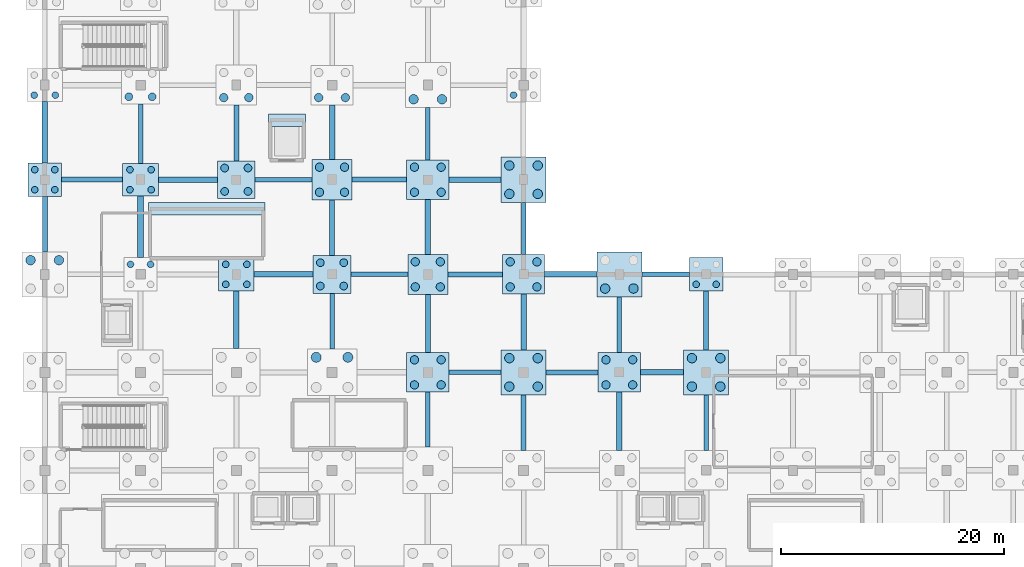
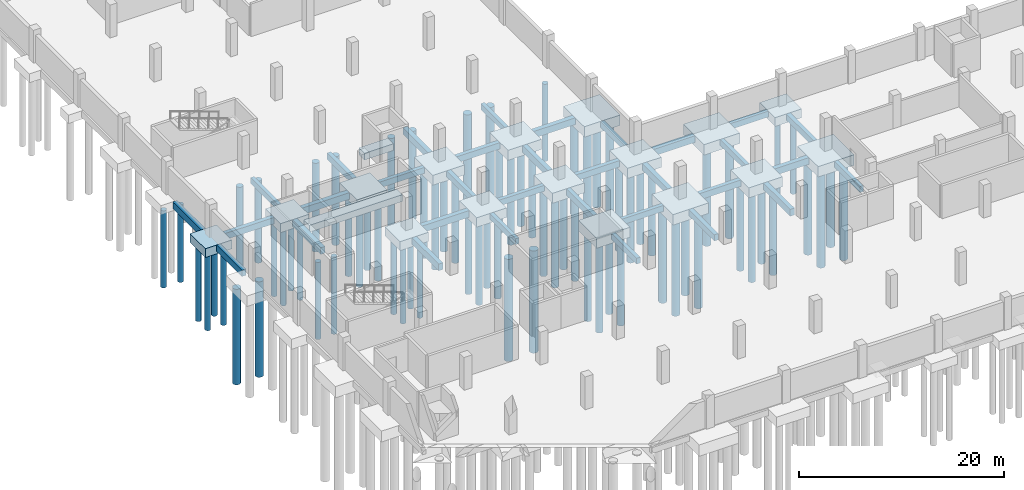
# One storey, part 3 of 28: 77 piles, 51 footings.
"""IFC4 building model written with IfcOpenShell, lengths in metres."""

from ifc_helpers import new_model, si_unit, direction, frame, origin, origin_2d, place, context, subcontext, project, spatial, rectangle, circle, extrude, material, material_profile, profile_set, type_object, element, save


model = new_model("IFC4")

# Units and contexts
model_context = context("Model", 3, precision=1e-05, world=origin(), true_north=direction((0.0, 1.0)))
body_context = subcontext(model_context, "Body", "Model", "MODEL_VIEW")
ifc_project = project(units=[si_unit("LENGTHUNIT", "METRE"), si_unit("AREAUNIT", "SQUARE_METRE"), si_unit("VOLUMEUNIT", "CUBIC_METRE"), si_unit("PLANEANGLEUNIT", "RADIAN"), si_unit("MASSUNIT", "GRAM", prefix="KILO")], contexts=[model_context])

# Site, building, storey
site_placement = place(None, origin())
site = spatial("IfcSite", under=ifc_project, at=site_placement, CompositionType="ELEMENT")
building_placement = place(site_placement, origin())
building = spatial("IfcBuilding", under=site, at=building_placement, Name="Varnakota Cinema and Media Centre", CompositionType="ELEMENT")
storey_placement = place(building_placement, frame((0.0, 0.0, -4.199951171875)))
storey = spatial("IfcBuildingStorey", under=building, at=storey_placement, Name="B1", CompositionType="ELEMENT", Elevation=-4.199951171875)

# Footings
ifc_material_1 = material(Name="Concrete M35", Category="concrete")
ifc_material_profile_1 = material_profile(ifc_material_1, rectangle(XDim=0.39990234375, YDim=0.699951171875, at=origin_2d()), Name="FB 400x700")
ifc_profile_set_1 = profile_set([ifc_material_profile_1], Name="Concrete M35")
footing_type_1 = type_object("IfcFootingType", Name="FB-400x700", PredefinedType="FOOTING_BEAM", material=ifc_profile_set_1)
footing_1_placement = place(storey_placement, frame((36.300048828125, 35.199951171875, -0.60009765625), z_axis=(1.0, 0.0, 0.0), x_axis=(0.0, 1.0, 0.0)))
element("IfcFooting", 1, at=footing_1_placement, inside=storey, type_object=footing_type_1, Name="Foundation tie beam E-F/5", PredefinedType="FOOTING_BEAM", context=body_context, shape_type="SweptSolid", body=[
    extrude(rectangle(XDim=0.39990234375, YDim=0.699951171875, at=origin_2d()), origin(), (0.0, 0.0, 1.0), 4.675048828125),
])
footing_2_placement = place(storey_placement, frame((27.5, 44.0, -0.60009765625), z_axis=(1.0, 0.0, 0.0), x_axis=(0.0, 1.0, 0.0)))
element("IfcFooting", 2, at=footing_2_placement, inside=storey, type_object=footing_type_1, Name="Foundation tie beam D-E/6", PredefinedType="FOOTING_BEAM", context=body_context, shape_type="SweptSolid", body=[
    extrude(rectangle(XDim=0.39990234375, YDim=0.699951171875, at=origin_2d()), origin(), (0.0, 0.0, 1.0), 5.10009765625),
])
footing_3_placement = place(storey_placement, frame((53.625, 44.0, -0.60009765625), z_axis=(1.0, 0.0, 0.0), x_axis=(0.0, 1.0, 0.0)))
element("IfcFooting", 3, at=footing_3_placement, inside=storey, type_object=footing_type_1, Name="Foundation tie beam G-H/6", PredefinedType="FOOTING_BEAM", context=body_context, shape_type="SweptSolid", body=[
    extrude(rectangle(XDim=0.39990234375, YDim=0.699951171875, at=origin_2d()), origin(), (0.0, 0.0, 1.0), 4.27490234375),
])
footing_4_placement = place(storey_placement, frame((18.89990234375, 52.5, -0.60009765625), z_axis=(1.0, 0.0, 0.0), x_axis=(0.0, 1.0, 0.0)))
element("IfcFooting", 4, at=footing_4_placement, inside=storey, type_object=footing_type_1, Name="Foundation tie beam C-D/7", PredefinedType="FOOTING_BEAM", context=body_context, shape_type="SweptSolid", body=[
    extrude(rectangle(XDim=0.39990234375, YDim=0.699951171875, at=origin_2d()), origin(), (0.0, 0.0, 1.0), 5.10009765625),
])
footing_5_placement = place(storey_placement, frame((8.60009765625, 53.97509765625, -0.60009765625), z_axis=(0.0, 1.0, 0.0), x_axis=(-1.0, 0.0, 0.0)))
element("IfcFooting", 5, at=footing_5_placement, inside=storey, type_object=footing_type_1, Name="Foundation tie beam B/7-8", PredefinedType="FOOTING_BEAM", context=body_context, shape_type="SweptSolid", body=[
    extrude(rectangle(XDim=0.39990234375, YDim=0.699951171875, at=origin_2d()), origin(), (0.0, 0.0, 1.0), 5.324951171875),
])
footing_6_placement = place(storey_placement, frame((25.800048828125, 37.300048828125, -0.60009765625), z_axis=(0.0, 1.0, 0.0), x_axis=(-1.0, 0.0, 0.0)))
element("IfcFooting", 6, at=footing_6_placement, inside=storey, type_object=footing_type_1, Name="Foundation tie beam D/5-6", PredefinedType="FOOTING_BEAM", context=body_context, shape_type="SweptSolid", body=[
    extrude(rectangle(XDim=0.39990234375, YDim=0.699951171875, at=origin_2d()), origin(), (0.0, 0.0, 1.0), 5.0),
])
footing_7_placement = place(storey_placement, frame((34.39990234375, 28.5, -0.60009765625), z_axis=(0.0, 1.0, 0.0), x_axis=(-1.0, 0.0, 0.0)))
element("IfcFooting", 7, at=footing_7_placement, inside=storey, type_object=footing_type_1, Name="Foundation tie beam E/4-5", PredefinedType="FOOTING_BEAM", context=body_context, shape_type="SweptSolid", body=[
    extrude(rectangle(XDim=0.39990234375, YDim=0.699951171875, at=origin_2d()), origin(), (0.0, 0.0, 1.0), 4.925048828125),
])
for number, where, z_axis, x_axis, name in (
    (8, (34.39990234375, 54.27490234375, -0.60009765625), (0.0, 1.0, 0.0), (-1.0, 0.0, 0.0), "Foundation tie beam E/7-8"),
    (9, (43.0, 45.77490234375, -0.60009765625), (0.0, 1.0, 0.0), (-1.0, 0.0, 0.0), "Foundation tie beam F/6-7"),
):
    element("IfcFooting", number, at=place(storey_placement, frame(where, z_axis=z_axis, x_axis=x_axis)), inside=storey, type_object=footing_type_1, Name=name, PredefinedType="FOOTING_BEAM", context=body_context, shape_type="SweptSolid", body=[
        extrude(rectangle(XDim=0.39990234375, YDim=0.699951171875, at=origin_2d()), origin(), (0.0, 0.0, 1.0), 4.7001953125),
    ])
for number, where, z_axis, x_axis, name in (
    (10, (51.60009765625, 36.97509765625, -0.60009765625), (0.0, 1.0, 0.0), (-1.0, 0.0, 0.0), "Foundation tie beam G/5-6"),
    (11, (59.39990234375, 28.175048828125, -0.60009765625), (0.0, 1.0, 0.0), (-1.0, 0.0, 0.0), "Foundation tie beam H/4-5"),
):
    element("IfcFooting", number, at=place(storey_placement, frame(where, z_axis=z_axis, x_axis=x_axis)), inside=storey, type_object=footing_type_1, Name=name, PredefinedType="FOOTING_BEAM", context=body_context, shape_type="SweptSolid", body=[
        extrude(rectangle(XDim=0.39990234375, YDim=0.699951171875, at=origin_2d()), origin(), (0.0, 0.0, 1.0), 5.0),
    ])
ifc_material_2 = material(Name="Concrete M35", Category="concrete")
ifc_material_profile_2 = material_profile(ifc_material_2, rectangle(XDim=0.449951171875, YDim=0.75, at=origin_2d()), Name="FB 450x750")
ifc_profile_set_2 = profile_set([ifc_material_profile_2], Name="Concrete M35")
footing_type_2 = type_object("IfcFootingType", Name="FB-450x750", PredefinedType="FOOTING_BEAM", material=ifc_profile_set_2)
footing_8_placement = place(storey_placement, frame((45.02490234375, 35.199951171875, -0.625), z_axis=(1.0, 0.0, 0.0), x_axis=(0.0, 1.0, 0.0)))
element("IfcFooting", 12, at=footing_8_placement, inside=storey, type_object=footing_type_2, Name="Foundation tie beam F-G/5", PredefinedType="FOOTING_BEAM", context=body_context, shape_type="SweptSolid", body=[
    extrude(rectangle(XDim=0.449951171875, YDim=0.75, at=origin_2d()), origin(), (0.0, 0.0, 1.0), 4.675048828125),
])
footing_9_placement = place(storey_placement, frame((36.199951171875, 44.0, -0.625), z_axis=(1.0, 0.0, 0.0), x_axis=(0.0, 1.0, 0.0)))
element("IfcFooting", 13, at=footing_9_placement, inside=storey, type_object=footing_type_2, Name="Foundation tie beam E-F/6", PredefinedType="FOOTING_BEAM", context=body_context, shape_type="SweptSolid", body=[
    extrude(rectangle(XDim=0.449951171875, YDim=0.75, at=origin_2d()), origin(), (0.0, 0.0, 1.0), 4.900146484375),
])
footing_10_placement = place(storey_placement, frame((1.5, 52.5, -0.625), z_axis=(1.0, 0.0, 0.0), x_axis=(0.0, 1.0, 0.0)))
element("IfcFooting", 14, at=footing_10_placement, inside=storey, type_object=footing_type_2, Name="Foundation tie beam A-B/7", PredefinedType="FOOTING_BEAM", context=body_context, shape_type="SweptSolid", body=[
    extrude(rectangle(XDim=0.449951171875, YDim=0.75, at=origin_2d()), origin(), (0.0, 0.0, 1.0), 5.5),
])
footing_11_placement = place(storey_placement, frame((27.60009765625, 52.5, -0.625), z_axis=(1.0, 0.0, 0.0), x_axis=(0.0, 1.0, 0.0)))
element("IfcFooting", 15, at=footing_11_placement, inside=storey, type_object=footing_type_2, Name="Foundation tie beam D-E/7", PredefinedType="FOOTING_BEAM", context=body_context, shape_type="SweptSolid", body=[
    extrude(rectangle(XDim=0.449951171875, YDim=0.75, at=origin_2d()), origin(), (0.0, 0.0, 1.0), 4.89990234375),
])
footing_12_placement = place(storey_placement, frame((0.0, 46.02490234375, -0.625), z_axis=(0.0, 1.0, 0.0), x_axis=(-1.0, 0.0, 0.0)))
element("IfcFooting", 16, at=footing_12_placement, inside=storey, type_object=footing_type_2, Name="Foundation tie beam A/6-7", PredefinedType="FOOTING_BEAM", context=body_context, shape_type="SweptSolid", body=[
    extrude(rectangle(XDim=0.449951171875, YDim=0.75, at=origin_2d()), origin(), (0.0, 0.0, 1.0), 4.97509765625),
])
for number, where, z_axis, x_axis, name in (
    (17, (17.199951171875, 54.199951171875, -0.625), (0.0, 1.0, 0.0), (-1.0, 0.0, 0.0), "Foundation tie beam C/7-8"),
    (18, (25.800048828125, 45.699951171875, -0.625), (0.0, 1.0, 0.0), (-1.0, 0.0, 0.0), "Foundation tie beam D/6-7"),
):
    element("IfcFooting", number, at=place(storey_placement, frame(where, z_axis=z_axis, x_axis=x_axis)), inside=storey, type_object=footing_type_2, Name=name, PredefinedType="FOOTING_BEAM", context=body_context, shape_type="SweptSolid", body=[
        extrude(rectangle(XDim=0.449951171875, YDim=0.75, at=origin_2d()), origin(), (0.0, 0.0, 1.0), 5.0),
    ])
footing_13_placement = place(storey_placement, frame((34.39990234375, 36.97509765625, -0.625), z_axis=(0.0, 1.0, 0.0), x_axis=(-1.0, 0.0, 0.0)))
element("IfcFooting", 19, at=footing_13_placement, inside=storey, type_object=footing_type_2, Name="Foundation tie beam E/5-6", PredefinedType="FOOTING_BEAM", context=body_context, shape_type="SweptSolid", body=[
    extrude(rectangle(XDim=0.449951171875, YDim=0.75, at=origin_2d()), origin(), (0.0, 0.0, 1.0), 5.224853515625),
])
footing_14_placement = place(storey_placement, frame((43.0, 28.175048828125, -0.625), z_axis=(0.0, 1.0, 0.0), x_axis=(-1.0, 0.0, 0.0)))
element("IfcFooting", 20, at=footing_14_placement, inside=storey, type_object=footing_type_2, Name="Foundation tie beam F/4-5", PredefinedType="FOOTING_BEAM", context=body_context, shape_type="SweptSolid", body=[
    extrude(rectangle(XDim=0.449951171875, YDim=0.75, at=origin_2d()), origin(), (0.0, 0.0, 1.0), 5.0),
])
footing_15_placement = place(storey_placement, frame((59.39990234375, 37.22509765625, -0.625), z_axis=(0.0, 1.0, 0.0), x_axis=(-1.0, 0.0, 0.0)))
element("IfcFooting", 21, at=footing_15_placement, inside=storey, type_object=footing_type_2, Name="Foundation tie beam H/5-6", PredefinedType="FOOTING_BEAM", context=body_context, shape_type="SweptSolid", body=[
    extrude(rectangle(XDim=0.449951171875, YDim=0.75, at=origin_2d()), origin(), (0.0, 0.0, 1.0), 5.27490234375),
])
ifc_material_3 = material(Name="Concrete M35", Category="concrete")
ifc_material_profile_3 = material_profile(ifc_material_3, rectangle(XDim=0.5, YDim=0.800048828125, at=origin_2d()), Name="FB 500x800")
ifc_profile_set_3 = profile_set([ifc_material_profile_3], Name="Concrete M35")
footing_type_3 = type_object("IfcFootingType", Name="FB-500x800", PredefinedType="FOOTING_BEAM", material=ifc_profile_set_3)
footing_16_placement = place(storey_placement, frame((53.5, 35.199951171875, -0.650146484375), z_axis=(1.0, 0.0, 0.0), x_axis=(0.0, 1.0, 0.0)))
element("IfcFooting", 22, at=footing_16_placement, inside=storey, type_object=footing_type_3, Name="Foundation tie beam G-H/5", PredefinedType="FOOTING_BEAM", context=body_context, shape_type="SweptSolid", body=[
    extrude(rectangle(XDim=0.5, YDim=0.800048828125, at=origin_2d()), origin(), (0.0, 0.0, 1.0), 3.875),
])
footing_17_placement = place(storey_placement, frame((18.800048828125, 44.0, -0.650146484375), z_axis=(1.0, 0.0, 0.0), x_axis=(0.0, 1.0, 0.0)))
element("IfcFooting", 23, at=footing_17_placement, inside=storey, type_object=footing_type_3, Name="Foundation tie beam C-D/6", PredefinedType="FOOTING_BEAM", context=body_context, shape_type="SweptSolid", body=[
    extrude(rectangle(XDim=0.5, YDim=0.800048828125, at=origin_2d()), origin(), (0.0, 0.0, 1.0), 5.300048828125),
])
footing_18_placement = place(storey_placement, frame((44.89990234375, 44.0, -0.650146484375), z_axis=(1.0, 0.0, 0.0), x_axis=(0.0, 1.0, 0.0)))
element("IfcFooting", 24, at=footing_18_placement, inside=storey, type_object=footing_type_3, Name="Foundation tie beam F-G/6", PredefinedType="FOOTING_BEAM", context=body_context, shape_type="SweptSolid", body=[
    extrude(rectangle(XDim=0.5, YDim=0.800048828125, at=origin_2d()), origin(), (0.0, 0.0, 1.0), 4.675048828125),
])
footing_19_placement = place(storey_placement, frame((10.199951171875, 52.5, -0.650146484375), z_axis=(1.0, 0.0, 0.0), x_axis=(0.0, 1.0, 0.0)))
element("IfcFooting", 25, at=footing_19_placement, inside=storey, type_object=footing_type_3, Name="Foundation tie beam B-C/7", PredefinedType="FOOTING_BEAM", context=body_context, shape_type="SweptSolid", body=[
    extrude(rectangle(XDim=0.5, YDim=0.800048828125, at=origin_2d()), origin(), (0.0, 0.0, 1.0), 5.300048828125),
])
footing_20_placement = place(storey_placement, frame((36.300048828125, 52.5, -0.650146484375), z_axis=(1.0, 0.0, 0.0), x_axis=(0.0, 1.0, 0.0)))
element("IfcFooting", 26, at=footing_20_placement, inside=storey, type_object=footing_type_3, Name="Foundation tie beam E-F/7", PredefinedType="FOOTING_BEAM", context=body_context, shape_type="SweptSolid", body=[
    extrude(rectangle(XDim=0.5, YDim=0.800048828125, at=origin_2d()), origin(), (0.0, 0.0, 1.0), 4.675048828125),
])
for number, where, z_axis, x_axis, name in (
    (27, (0.0, 54.0, -0.650146484375), (0.0, 1.0, 0.0), (-1.0, 0.0, 0.0), "Foundation tie beam A/7-8"),
    (28, (8.60009765625, 45.5, -0.650146484375), (0.0, 1.0, 0.0), (-1.0, 0.0, 0.0), "Foundation tie beam B/6-7"),
):
    element("IfcFooting", number, at=place(storey_placement, frame(where, z_axis=z_axis, x_axis=x_axis)), inside=storey, type_object=footing_type_3, Name=name, PredefinedType="FOOTING_BEAM", context=body_context, shape_type="SweptSolid", body=[
        extrude(rectangle(XDim=0.5, YDim=0.800048828125, at=origin_2d()), origin(), (0.0, 0.0, 1.0), 5.52490234375),
    ])
footing_21_placement = place(storey_placement, frame((17.199951171875, 37.324951171875, -0.650146484375), z_axis=(0.0, 1.0, 0.0), x_axis=(-1.0, 0.0, 0.0)))
element("IfcFooting", 29, at=footing_21_placement, inside=storey, type_object=footing_type_3, Name="Foundation tie beam C/5-6", PredefinedType="FOOTING_BEAM", context=body_context, shape_type="SweptSolid", body=[
    extrude(rectangle(XDim=0.5, YDim=0.800048828125, at=origin_2d()), origin(), (0.0, 0.0, 1.0), 5.199951171875),
])
for number, where, z_axis, x_axis, name in (
    (30, (25.800048828125, 54.300048828125, -0.650146484375), (0.0, 1.0, 0.0), (-1.0, 0.0, 0.0), "Foundation tie beam D/7-8"),
    (31, (34.39990234375, 45.800048828125, -0.650146484375), (0.0, 1.0, 0.0), (-1.0, 0.0, 0.0), "Foundation tie beam E/6-7"),
):
    element("IfcFooting", number, at=place(storey_placement, frame(where, z_axis=z_axis, x_axis=x_axis)), inside=storey, type_object=footing_type_3, Name=name, PredefinedType="FOOTING_BEAM", context=body_context, shape_type="SweptSolid", body=[
        extrude(rectangle(XDim=0.5, YDim=0.800048828125, at=origin_2d()), origin(), (0.0, 0.0, 1.0), 4.925048828125),
    ])
footing_22_placement = place(storey_placement, frame((43.0, 37.22509765625, -0.650146484375), z_axis=(0.0, 1.0, 0.0), x_axis=(-1.0, 0.0, 0.0)))
element("IfcFooting", 32, at=footing_22_placement, inside=storey, type_object=footing_type_3, Name="Foundation tie beam F/5-6", PredefinedType="FOOTING_BEAM", context=body_context, shape_type="SweptSolid", body=[
    extrude(rectangle(XDim=0.5, YDim=0.800048828125, at=origin_2d()), origin(), (0.0, 0.0, 1.0), 5.0),
])
footing_23_placement = place(storey_placement, frame((51.60009765625, 28.199951171875, -0.650146484375), z_axis=(0.0, 1.0, 0.0), x_axis=(-1.0, 0.0, 0.0)))
element("IfcFooting", 33, at=footing_23_placement, inside=storey, type_object=footing_type_3, Name="Foundation tie beam G/4-5", PredefinedType="FOOTING_BEAM", context=body_context, shape_type="SweptSolid", body=[
    extrude(rectangle(XDim=0.5, YDim=0.800048828125, at=origin_2d()), origin(), (0.0, 0.0, 1.0), 5.22509765625),
])
ifc_material_4 = material(Name="Concrete M35", Category="concrete")
footing_type_4 = type_object("IfcFootingType", Name="PC-4P-600", PredefinedType="PILE_CAP", material=ifc_material_4)
for number, where, z_axis, x_axis, name in (
    (34, (0.0, 52.5, -1.30029296875), (0.0, 0.0, 1.0), (1.0, 0.0, 0.0), "Pile cap A/7"),
    (35, (59.39990234375, 44.0, -1.30029296875), (0.0, 0.0, 1.0), (1.0, 0.0, 0.0), "Pile cap H/6"),
):
    element("IfcFooting", number, at=place(storey_placement, frame(where, z_axis=z_axis, x_axis=x_axis)), inside=storey, type_object=footing_type_4, Name=name, PredefinedType="PILE_CAP", context=body_context, shape_type="SweptSolid", body=[
        extrude(rectangle(XDim=3.0, YDim=3.0, at=origin_2d()), origin(), (0.0, 0.0, 1.0), 1.050048828125),
    ])
ifc_material_5 = material(Name="Concrete M35", Category="concrete")
footing_type_5 = type_object("IfcFootingType", Name="PC-4P-600R", PredefinedType="PILE_CAP", material=ifc_material_5)
for number, where, z_axis, x_axis, name in (
    (36, (8.60009765625, 52.5, -1.330078125), (0.0, 0.0, 1.0), (1.0, 0.0, 0.0), "Pile cap B/7"),
    (37, (17.199951171875, 44.0, -1.330078125), (0.0, 0.0, 1.0), (1.0, 0.0, 0.0), "Pile cap C/6"),
):
    element("IfcFooting", number, at=place(storey_placement, frame(where, z_axis=z_axis, x_axis=x_axis)), inside=storey, type_object=footing_type_5, Name=name, PredefinedType="PILE_CAP", context=body_context, shape_type="SweptSolid", body=[
        extrude(rectangle(XDim=3.199951171875, YDim=2.949951171875, at=origin_2d()), origin(), (0.0, 0.0, 1.0), 1.080078125),
    ])
ifc_material_6 = material(Name="Concrete M35", Category="concrete")
footing_type_6 = type_object("IfcFootingType", Name="PC-4P-700", PredefinedType="PILE_CAP", material=ifc_material_6)
for number, where, z_axis, x_axis, name in (
    (38, (17.199951171875, 52.5, -1.3701171875), (0.0, 0.0, 1.0), (1.0, 0.0, 0.0), "Pile cap C/7"),
    (39, (25.800048828125, 44.0, -1.3701171875), (0.0, 0.0, 1.0), (1.0, 0.0, 0.0), "Pile cap D/6"),
):
    element("IfcFooting", number, at=place(storey_placement, frame(where, z_axis=z_axis, x_axis=x_axis)), inside=storey, type_object=footing_type_6, Name=name, PredefinedType="PILE_CAP", context=body_context, shape_type="SweptSolid", body=[
        extrude(rectangle(XDim=3.39990234375, YDim=3.39990234375, at=origin_2d()), origin(), (0.0, 0.0, 1.0), 1.1201171875),
    ])
ifc_material_7 = material(Name="Concrete M35", Category="concrete")
footing_type_7 = type_object("IfcFootingType", Name="PC-4P-750", PredefinedType="PILE_CAP", material=ifc_material_7)
for number, where, z_axis, x_axis, name in (
    (40, (25.800048828125, 52.5, -1.43017578125), (0.0, 0.0, 1.0), (1.0, 0.0, 0.0), "Pile cap D/7"),
    (41, (34.39990234375, 44.0, -1.43017578125), (0.0, 0.0, 1.0), (1.0, 0.0, 0.0), "Pile cap E/6"),
):
    element("IfcFooting", number, at=place(storey_placement, frame(where, z_axis=z_axis, x_axis=x_axis)), inside=storey, type_object=footing_type_7, Name=name, PredefinedType="PILE_CAP", context=body_context, shape_type="SweptSolid", body=[
        extrude(rectangle(XDim=3.60009765625, YDim=3.60009765625, at=origin_2d()), origin(), (0.0, 0.0, 1.0), 1.179931640625),
    ])
ifc_material_8 = material(Name="Concrete M35", Category="concrete")
footing_type_8 = type_object("IfcFootingType", Name="PC-4P-750R", PredefinedType="PILE_CAP", material=ifc_material_8)
for number, where, z_axis, x_axis, name in (
    (42, (34.39990234375, 35.199951171875, -1.4501953125), (0.0, 0.0, 1.0), (1.0, 0.0, 0.0), "Pile cap E/5"),
    (43, (34.39990234375, 52.5, -1.4501953125), (0.0, 0.0, 1.0), (1.0, 0.0, 0.0), "Pile cap E/7"),
    (44, (43.0, 44.0, -1.4501953125), (0.0, 0.0, 1.0), (1.0, 0.0, 0.0), "Pile cap F/6"),
    (45, (51.60009765625, 35.199951171875, -1.4501953125), (0.0, 0.0, 1.0), (1.0, 0.0, 0.0), "Pile cap G/5"),
):
    element("IfcFooting", number, at=place(storey_placement, frame(where, z_axis=z_axis, x_axis=x_axis)), inside=storey, type_object=footing_type_8, Name=name, PredefinedType="PILE_CAP", context=body_context, shape_type="SweptSolid", body=[
        extrude(rectangle(XDim=3.800048828125, YDim=3.550048828125, at=origin_2d()), origin(), (0.0, 0.0, 1.0), 1.199951171875),
    ])
ifc_material_9 = material(Name="Concrete M35", Category="concrete")
footing_type_9 = type_object("IfcFootingType", Name="PC-4P-850", PredefinedType="PILE_CAP", material=ifc_material_9)
for number, where, z_axis, x_axis, name in (
    (46, (43.0, 35.199951171875, -1.5), (0.0, 0.0, 1.0), (1.0, 0.0, 0.0), "Pile cap F/5"),
    (47, (43.0, 52.5, -1.5), (0.0, 0.0, 1.0), (1.0, 0.0, 0.0), "Pile cap F/7"),
    (48, (51.60009765625, 44.0, -1.5), (0.0, 0.0, 1.0), (1.0, 0.0, 0.0), "Pile cap G/6"),
    (49, (59.39990234375, 35.199951171875, -1.5), (0.0, 0.0, 1.0), (1.0, 0.0, 0.0), "Pile cap H/5"),
):
    element("IfcFooting", number, at=place(storey_placement, frame(where, z_axis=z_axis, x_axis=x_axis)), inside=storey, type_object=footing_type_9, Name=name, PredefinedType="PILE_CAP", context=body_context, shape_type="SweptSolid", body=[
        extrude(rectangle(XDim=4.050048828125, YDim=4.050048828125, at=origin_2d()), origin(), (0.0, 0.0, 1.0), 1.25),
    ])

# Piles
ifc_material_10 = material(Name="Concrete M35", Category="concrete")
ifc_material_profile_4 = material_profile(ifc_material_10, circle(Radius=0.300048828125, at=origin_2d()), Name="PILE D600")
ifc_profile_set_4 = profile_set([ifc_material_profile_4], Name="Concrete M35")
pile_type_1 = type_object("IfcPileType", Name="PILE-D600", PredefinedType="BORED", material=ifc_profile_set_4)
for number, where, z_axis, x_axis, name in (
    (50, (-0.89990234375, 51.60009765625, -1.199951171875), (0.0, 0.0, -1.0), (1.0, 0.0, 0.0), "Bored pile A/7-1"),
    (51, (0.89990234375, 51.60009765625, -1.199951171875), (0.0, 0.0, -1.0), (1.0, 0.0, 0.0), "Bored pile A/7-2"),
    (52, (-0.89990234375, 53.39990234375, -1.199951171875), (0.0, 0.0, -1.0), (1.0, 0.0, 0.0), "Bored pile A/7-3"),
    (53, (0.89990234375, 53.39990234375, -1.199951171875), (0.0, 0.0, -1.0), (1.0, 0.0, 0.0), "Bored pile A/7-4"),
    (54, (-0.949951171875, 60.10009765625, -1.22998046875), (0.0, 0.0, -1.0), (1.0, 0.0, 0.0), "Bored pile A/8-1"),
    (55, (0.949951171875, 60.10009765625, -1.22998046875), (0.0, 0.0, -1.0), (1.0, 0.0, 0.0), "Bored pile A/8-2"),
    (56, (7.699951171875, 44.89990234375, -1.199951171875), (0.0, 0.0, -1.0), (1.0, 0.0, 0.0), "Bored pile B/6-3"),
    (57, (9.5, 44.89990234375, -1.199951171875), (0.0, 0.0, -1.0), (1.0, 0.0, 0.0), "Bored pile B/6-4"),
    (58, (7.64990234375, 51.60009765625, -1.22998046875), (0.0, 0.0, -1.0), (1.0, 0.0, 0.0), "Bored pile B/7-1"),
    (59, (9.550048828125, 51.60009765625, -1.22998046875), (0.0, 0.0, -1.0), (1.0, 0.0, 0.0), "Bored pile B/7-2"),
    (60, (7.64990234375, 53.39990234375, -1.22998046875), (0.0, 0.0, -1.0), (1.0, 0.0, 0.0), "Bored pile B/7-3"),
    (61, (9.550048828125, 53.39990234375, -1.22998046875), (0.0, 0.0, -1.0), (1.0, 0.0, 0.0), "Bored pile B/7-4"),
    (62, (16.25, 43.10009765625, -1.22998046875), (0.0, 0.0, -1.0), (1.0, 0.0, 0.0), "Bored pile C/6-1"),
    (63, (18.14990234375, 43.10009765625, -1.22998046875), (0.0, 0.0, -1.0), (1.0, 0.0, 0.0), "Bored pile C/6-2"),
    (64, (16.25, 44.89990234375, -1.22998046875), (0.0, 0.0, -1.0), (1.0, 0.0, 0.0), "Bored pile C/6-3"),
    (65, (18.14990234375, 44.89990234375, -1.22998046875), (0.0, 0.0, -1.0), (1.0, 0.0, 0.0), "Bored pile C/6-4"),
    (66, (42.10009765625, 60.10009765625, -1.199951171875), (0.0, 0.0, -1.0), (1.0, 0.0, 0.0), "Bored pile F/8-1"),
    (67, (58.5, 43.10009765625, -1.199951171875), (0.0, 0.0, -1.0), (1.0, 0.0, 0.0), "Bored pile H/6-1"),
    (68, (60.300048828125, 43.10009765625, -1.199951171875), (0.0, 0.0, -1.0), (1.0, 0.0, 0.0), "Bored pile H/6-2"),
):
    element("IfcPile", number, at=place(storey_placement, frame(where, z_axis=z_axis, x_axis=x_axis)), inside=storey, type_object=pile_type_1, Name=name, PredefinedType="BORED", context=body_context, shape_type="SweptSolid", body=[
        extrude(circle(Radius=0.300048828125, at=origin_2d()), origin(), (0.0, 0.0, 1.0), 9.199951171875),
    ])
ifc_material_11 = material(Name="Concrete M35", Category="concrete")
ifc_material_profile_5 = material_profile(ifc_material_11, circle(Radius=0.35009765625, at=origin_2d()), Name="PILE D700")
ifc_profile_set_5 = profile_set([ifc_material_profile_5], Name="Concrete M35")
pile_type_2 = type_object("IfcPileType", Name="PILE-D700", PredefinedType="BORED", material=ifc_profile_set_5)
for number, where, z_axis, x_axis, name in (
    (69, (7.550048828125, 59.949951171875, -1.27001953125), (0.0, 0.0, -1.0), (1.0, 0.0, 0.0), "Bored pile B/8-1"),
    (70, (9.64990234375, 59.949951171875, -1.27001953125), (0.0, 0.0, -1.0), (1.0, 0.0, 0.0), "Bored pile B/8-2"),
    (71, (16.14990234375, 51.449951171875, -1.27001953125), (0.0, 0.0, -1.0), (1.0, 0.0, 0.0), "Bored pile C/7-1"),
    (72, (18.25, 51.449951171875, -1.27001953125), (0.0, 0.0, -1.0), (1.0, 0.0, 0.0), "Bored pile C/7-2"),
    (73, (16.14990234375, 53.550048828125, -1.27001953125), (0.0, 0.0, -1.0), (1.0, 0.0, 0.0), "Bored pile C/7-3"),
    (74, (18.25, 53.550048828125, -1.27001953125), (0.0, 0.0, -1.0), (1.0, 0.0, 0.0), "Bored pile C/7-4"),
    (75, (24.75, 42.949951171875, -1.27001953125), (0.0, 0.0, -1.0), (1.0, 0.0, 0.0), "Bored pile D/6-1"),
    (76, (26.85009765625, 42.949951171875, -1.27001953125), (0.0, 0.0, -1.0), (1.0, 0.0, 0.0), "Bored pile D/6-2"),
    (77, (24.75, 45.050048828125, -1.27001953125), (0.0, 0.0, -1.0), (1.0, 0.0, 0.0), "Bored pile D/6-3"),
    (78, (26.85009765625, 45.050048828125, -1.27001953125), (0.0, 0.0, -1.0), (1.0, 0.0, 0.0), "Bored pile D/6-4"),
):
    element("IfcPile", number, at=place(storey_placement, frame(where, z_axis=z_axis, x_axis=x_axis)), inside=storey, type_object=pile_type_2, Name=name, PredefinedType="BORED", context=body_context, shape_type="SweptSolid", body=[
        extrude(circle(Radius=0.35009765625, at=origin_2d()), origin(), (0.0, 0.0, 1.0), 9.800048828125),
    ])
ifc_material_12 = material(Name="Concrete M35", Category="concrete")
ifc_material_profile_6 = material_profile(ifc_material_12, circle(Radius=0.375, at=origin_2d()), Name="PILE D750")
ifc_profile_set_6 = profile_set([ifc_material_profile_6], Name="Concrete M35")
pile_type_3 = type_object("IfcPileType", Name="PILE-D750", PredefinedType="BORED", material=ifc_profile_set_6)
for number, where, z_axis, x_axis, name in (
    (79, (16.074951171875, 59.875, -1.330078125), (0.0, 0.0, -1.0), (1.0, 0.0, 0.0), "Bored pile C/8-1"),
    (80, (18.324951171875, 59.875, -1.330078125), (0.0, 0.0, -1.0), (1.0, 0.0, 0.0), "Bored pile C/8-2"),
    (81, (24.675048828125, 51.375, -1.330078125), (0.0, 0.0, -1.0), (1.0, 0.0, 0.0), "Bored pile D/7-1"),
    (82, (26.925048828125, 51.375, -1.330078125), (0.0, 0.0, -1.0), (1.0, 0.0, 0.0), "Bored pile D/7-2"),
    (83, (24.675048828125, 53.625, -1.330078125), (0.0, 0.0, -1.0), (1.0, 0.0, 0.0), "Bored pile D/7-3"),
    (84, (26.925048828125, 53.625, -1.330078125), (0.0, 0.0, -1.0), (1.0, 0.0, 0.0), "Bored pile D/7-4"),
    (85, (24.60009765625, 59.875, -1.35009765625), (0.0, 0.0, -1.0), (1.0, 0.0, 0.0), "Bored pile D/8-1"),
    (86, (27.0, 59.875, -1.35009765625), (0.0, 0.0, -1.0), (1.0, 0.0, 0.0), "Bored pile D/8-2"),
    (87, (33.199951171875, 34.074951171875, -1.35009765625), (0.0, 0.0, -1.0), (1.0, 0.0, 0.0), "Bored pile E/5-1"),
    (88, (35.60009765625, 34.074951171875, -1.35009765625), (0.0, 0.0, -1.0), (1.0, 0.0, 0.0), "Bored pile E/5-2"),
    (89, (33.199951171875, 36.324951171875, -1.35009765625), (0.0, 0.0, -1.0), (1.0, 0.0, 0.0), "Bored pile E/5-3"),
    (90, (35.60009765625, 36.324951171875, -1.35009765625), (0.0, 0.0, -1.0), (1.0, 0.0, 0.0), "Bored pile E/5-4"),
    (91, (33.27490234375, 42.875, -1.330078125), (0.0, 0.0, -1.0), (1.0, 0.0, 0.0), "Bored pile E/6-1"),
    (92, (35.52490234375, 42.875, -1.330078125), (0.0, 0.0, -1.0), (1.0, 0.0, 0.0), "Bored pile E/6-2"),
    (93, (33.27490234375, 45.125, -1.330078125), (0.0, 0.0, -1.0), (1.0, 0.0, 0.0), "Bored pile E/6-3"),
    (94, (35.52490234375, 45.125, -1.330078125), (0.0, 0.0, -1.0), (1.0, 0.0, 0.0), "Bored pile E/6-4"),
    (95, (33.199951171875, 51.375, -1.35009765625), (0.0, 0.0, -1.0), (1.0, 0.0, 0.0), "Bored pile E/7-1"),
    (96, (35.60009765625, 51.375, -1.35009765625), (0.0, 0.0, -1.0), (1.0, 0.0, 0.0), "Bored pile E/7-2"),
    (97, (33.199951171875, 53.625, -1.35009765625), (0.0, 0.0, -1.0), (1.0, 0.0, 0.0), "Bored pile E/7-3"),
    (98, (35.60009765625, 53.625, -1.35009765625), (0.0, 0.0, -1.0), (1.0, 0.0, 0.0), "Bored pile E/7-4"),
    (99, (41.800048828125, 42.875, -1.35009765625), (0.0, 0.0, -1.0), (1.0, 0.0, 0.0), "Bored pile F/6-1"),
    (100, (44.199951171875, 42.875, -1.35009765625), (0.0, 0.0, -1.0), (1.0, 0.0, 0.0), "Bored pile F/6-2"),
    (101, (41.800048828125, 45.125, -1.35009765625), (0.0, 0.0, -1.0), (1.0, 0.0, 0.0), "Bored pile F/6-3"),
    (102, (44.199951171875, 45.125, -1.35009765625), (0.0, 0.0, -1.0), (1.0, 0.0, 0.0), "Bored pile F/6-4"),
    (103, (50.39990234375, 34.074951171875, -1.35009765625), (0.0, 0.0, -1.0), (1.0, 0.0, 0.0), "Bored pile G/5-1"),
    (104, (52.800048828125, 34.074951171875, -1.35009765625), (0.0, 0.0, -1.0), (1.0, 0.0, 0.0), "Bored pile G/5-2"),
    (105, (50.39990234375, 36.324951171875, -1.35009765625), (0.0, 0.0, -1.0), (1.0, 0.0, 0.0), "Bored pile G/5-3"),
    (106, (52.800048828125, 36.324951171875, -1.35009765625), (0.0, 0.0, -1.0), (1.0, 0.0, 0.0), "Bored pile G/5-4"),
):
    element("IfcPile", number, at=place(storey_placement, frame(where, z_axis=z_axis, x_axis=x_axis)), inside=storey, type_object=pile_type_3, Name=name, PredefinedType="BORED", context=body_context, shape_type="SweptSolid", body=[
        extrude(circle(Radius=0.375, at=origin_2d()), origin(), (0.0, 0.0, 1.0), 10.60009765625),
    ])
ifc_material_13 = material(Name="Concrete M35", Category="concrete")
ifc_material_profile_7 = material_profile(ifc_material_13, circle(Radius=0.425048828125, at=origin_2d()), Name="PILE D850")
ifc_profile_set_7 = profile_set([ifc_material_profile_7], Name="Concrete M35")
pile_type_4 = type_object("IfcPileType", Name="PILE-D850", PredefinedType="BORED", material=ifc_profile_set_7)
for number, where, z_axis, x_axis, name in (
    (107, (-1.27490234375, 45.27490234375, -1.400146484375), (0.0, 0.0, -1.0), (1.0, 0.0, 0.0), "Bored pile A/6-3"),
    (108, (1.27490234375, 45.27490234375, -1.400146484375), (0.0, 0.0, -1.0), (1.0, 0.0, 0.0), "Bored pile A/6-4"),
    (109, (33.125, 59.72509765625, -1.400146484375), (0.0, 0.0, -1.0), (1.0, 0.0, 0.0), "Bored pile E/8-1"),
    (110, (35.675048828125, 59.72509765625, -1.400146484375), (0.0, 0.0, -1.0), (1.0, 0.0, 0.0), "Bored pile E/8-2"),
    (111, (41.72509765625, 33.925048828125, -1.400146484375), (0.0, 0.0, -1.0), (1.0, 0.0, 0.0), "Bored pile F/5-1"),
    (112, (44.27490234375, 33.925048828125, -1.400146484375), (0.0, 0.0, -1.0), (1.0, 0.0, 0.0), "Bored pile F/5-2"),
    (113, (41.72509765625, 36.47509765625, -1.400146484375), (0.0, 0.0, -1.0), (1.0, 0.0, 0.0), "Bored pile F/5-3"),
    (114, (44.27490234375, 36.47509765625, -1.400146484375), (0.0, 0.0, -1.0), (1.0, 0.0, 0.0), "Bored pile F/5-4"),
    (115, (41.72509765625, 51.22509765625, -1.400146484375), (0.0, 0.0, -1.0), (1.0, 0.0, 0.0), "Bored pile F/7-1"),
    (116, (44.27490234375, 51.22509765625, -1.400146484375), (0.0, 0.0, -1.0), (1.0, 0.0, 0.0), "Bored pile F/7-2"),
    (117, (41.72509765625, 53.77490234375, -1.400146484375), (0.0, 0.0, -1.0), (1.0, 0.0, 0.0), "Bored pile F/7-3"),
    (118, (44.27490234375, 53.77490234375, -1.400146484375), (0.0, 0.0, -1.0), (1.0, 0.0, 0.0), "Bored pile F/7-4"),
    (119, (50.324951171875, 42.72509765625, -1.400146484375), (0.0, 0.0, -1.0), (1.0, 0.0, 0.0), "Bored pile G/6-1"),
    (120, (52.875, 42.72509765625, -1.400146484375), (0.0, 0.0, -1.0), (1.0, 0.0, 0.0), "Bored pile G/6-2"),
    (121, (58.125, 33.925048828125, -1.400146484375), (0.0, 0.0, -1.0), (1.0, 0.0, 0.0), "Bored pile H/5-1"),
    (122, (60.675048828125, 33.925048828125, -1.400146484375), (0.0, 0.0, -1.0), (1.0, 0.0, 0.0), "Bored pile H/5-2"),
    (123, (58.125, 36.47509765625, -1.400146484375), (0.0, 0.0, -1.0), (1.0, 0.0, 0.0), "Bored pile H/5-3"),
    (124, (60.675048828125, 36.47509765625, -1.400146484375), (0.0, 0.0, -1.0), (1.0, 0.0, 0.0), "Bored pile H/5-4"),
):
    element("IfcPile", number, at=place(storey_placement, frame(where, z_axis=z_axis, x_axis=x_axis)), inside=storey, type_object=pile_type_4, Name=name, PredefinedType="BORED", context=body_context, shape_type="SweptSolid", body=[
        extrude(circle(Radius=0.425048828125, at=origin_2d()), origin(), (0.0, 0.0, 1.0), 11.39990234375),
    ])
ifc_material_14 = material(Name="Concrete M35", Category="concrete")
ifc_material_profile_8 = material_profile(ifc_material_14, circle(Radius=0.449951171875, at=origin_2d()), Name="PILE D900")
ifc_profile_set_8 = profile_set([ifc_material_profile_8], Name="Concrete M35")
pile_type_5 = type_object("IfcPileType", Name="PILE-D900", PredefinedType="BORED", material=ifc_profile_set_8)
for number, where, z_axis, x_axis, name in (
    (125, (24.3798828125, 36.550048828125, -1.5), (0.0, 0.0, -1.0), (1.0, 0.0, 0.0), "Bored pile D/5-3"),
    (126, (27.219970703125, 36.550048828125, -1.5), (0.0, 0.0, -1.0), (1.0, 0.0, 0.0), "Bored pile D/5-4"),
):
    element("IfcPile", number, at=place(storey_placement, frame(where, z_axis=z_axis, x_axis=x_axis)), inside=storey, type_object=pile_type_5, Name=name, PredefinedType="BORED", context=body_context, shape_type="SweptSolid", body=[
        extrude(circle(Radius=0.449951171875, at=origin_2d()), origin(), (0.0, 0.0, 1.0), 12.199951171875),
    ])

# Footings
ifc_material_15 = material(Name="Concrete M35", Category="concrete")
ifc_material_profile_9 = material_profile(ifc_material_15, rectangle(XDim=1.10009765625, YDim=0.800048828125, at=origin_2d()), Name="SF 1100x800")
ifc_profile_set_9 = profile_set([ifc_material_profile_9], Name="Concrete M35")
footing_type_10 = type_object("IfcFootingType", Name="SF-CORE-1100x800", PredefinedType="STRIP_FOOTING", material=ifc_profile_set_9)
footing_24_placement = place(storey_placement, frame((9.300048828125, 49.89990234375, -0.650146484375), z_axis=(1.0, 0.0, 0.0), x_axis=(0.0, 1.0, 0.0)))
element("IfcFooting", 127, at=footing_24_placement, inside=storey, type_object=footing_type_10, Name="Core strip footing ST-03 N", PredefinedType="STRIP_FOOTING", context=body_context, shape_type="SweptSolid", body=[
    extrude(rectangle(XDim=1.10009765625, YDim=0.800048828125, at=origin_2d()), origin(), (0.0, 0.0, 1.0), 10.47998046875),
])
footing_25_placement = place(storey_placement, frame((20.10009765625, 57.85009765625, -0.650146484375), z_axis=(1.0, 0.0, 0.0), x_axis=(0.0, 1.0, 0.0)))
element("IfcFooting", 128, at=footing_25_placement, inside=storey, type_object=footing_type_10, Name="Core strip footing LF-07 N", PredefinedType="STRIP_FOOTING", context=body_context, shape_type="SweptSolid", body=[
    extrude(rectangle(XDim=1.10009765625, YDim=0.800048828125, at=origin_2d()), origin(), (0.0, 0.0, 1.0), 3.2998046875),
])

save(model, "model.ifc")
